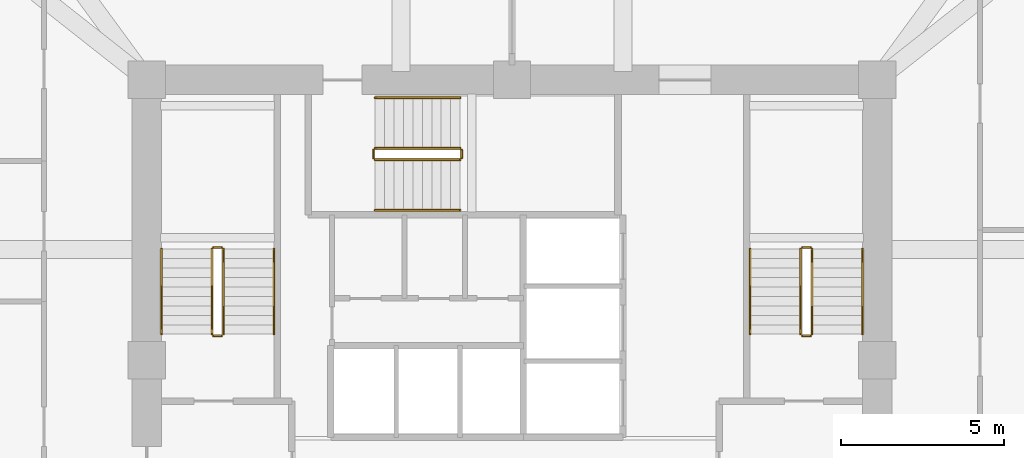
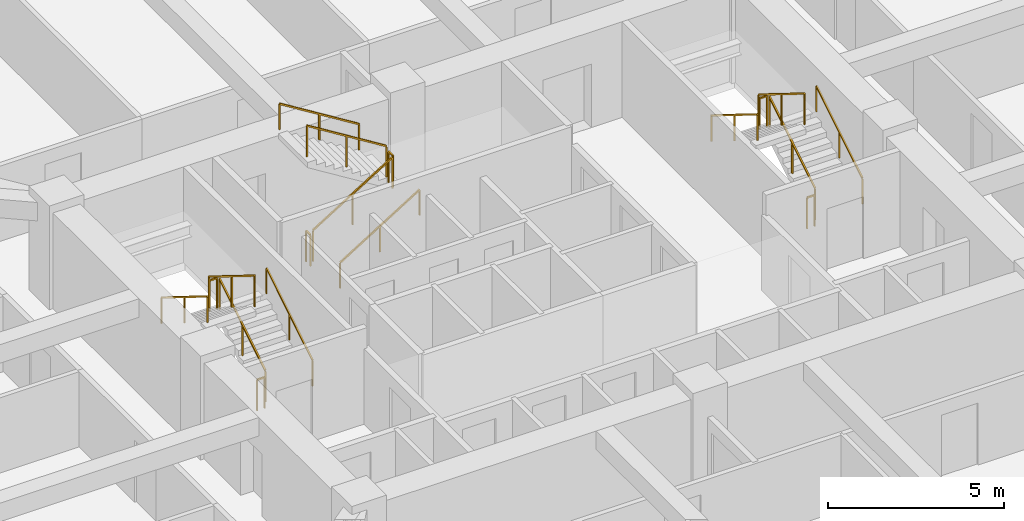
# One storey, part 13 of 13: 18 railings.
"""IFC4 building model written with IfcOpenShell, lengths in metres."""

from ifc_helpers import new_model, si_unit, derived_unit, direction, frame, origin, origin_2d, place, context, subcontext, project, spatial, rectangle, extrude, material, type_object, element, save


model = new_model("IFC4")

# Units and contexts
model_context = context("Model", 3, precision=1e-05, world=origin(), true_north=direction((0.0, 1.0)))
body_context = subcontext(model_context, "Body", "Model", "MODEL_VIEW")
ifc_project = project(units=[si_unit("LENGTHUNIT", "METRE"), si_unit("AREAUNIT", "SQUARE_METRE"), si_unit("VOLUMEUNIT", "CUBIC_METRE"), si_unit("PLANEANGLEUNIT", "RADIAN"), si_unit("MASSUNIT", "GRAM", prefix="KILO"), derived_unit("THERMALTRANSMITTANCEUNIT", [(si_unit("POWERUNIT", "WATT"), 1), (si_unit("LENGTHUNIT", "METRE"), -2), (si_unit("THERMODYNAMICTEMPERATUREUNIT", "KELVIN"), -1)])], contexts=[model_context])

# Site, building, storey
site_placement = place(None, origin())
site = spatial("IfcSite", under=ifc_project, at=site_placement, CompositionType="ELEMENT")
building_placement = place(site_placement, origin())
building = spatial("IfcBuilding", under=site, at=building_placement, Name="Koralith Skygarden Medical Center", CompositionType="ELEMENT")
storey_placement = place(building_placement, frame((0.0, 0.0, 49.139892578125)))
storey = spatial("IfcBuildingStorey", under=building, at=storey_placement, Name="L12", CompositionType="ELEMENT", Elevation=49.139892578125)

# Railings
ifc_material = material(Name="Steel ASTM A500 Grade C", Category="steel")
railing_type_1 = type_object("IfcRailingType", Name="Stair Flight Tubular Handrail 920", PredefinedType="HANDRAIL", material=ifc_material)
railing_1_placement = place(storey_placement, frame((29.699951171875, 26.699951171875, 0.18017578125)))
element("IfcRailing", 1, at=railing_1_placement, inside=storey, type_object=railing_type_1, Name="L12 ST1 stair handrail 1", PredefinedType="HANDRAIL", context=body_context, shape_type="SweptSolid", body=[
    extrude(rectangle(XDim=0.050048828125, YDim=0.050048828125, at=origin_2d()), frame((0.0, 0.001708984375, 0.89599609375), z_axis=(0.0, 0.849668407637, 0.527317358963), x_axis=(-1.0, 0.0, 0.0)), (0.0, 0.0, 1.0), 3.06787109375),
    extrude(rectangle(XDim=0.0419921875, YDim=0.0419921875, at=origin_2d()), origin(), (0.0, 0.0, 1.0), 0.867919921875),
    extrude(rectangle(XDim=0.0419921875, YDim=0.0419921875, at=origin_2d()), frame((0.0, 1.30517578125, 0.81005859375)), (0.0, 0.0, 1.0), 0.867919921875),
    extrude(rectangle(XDim=0.0419921875, YDim=0.0419921875, at=origin_2d()), frame((0.0, 2.610107421875, 1.619873046875)), (0.0, 0.0, 1.0), 0.867919921875),
])
railing_2_placement = place(storey_placement, frame((26.25, 29.31005859375, 1.980224609375)))
element("IfcRailing", 2, at=railing_2_placement, inside=storey, type_object=railing_type_1, Name="L12 ST1 stair handrail 2", PredefinedType="HANDRAIL", context=body_context, shape_type="SweptSolid", body=[
    extrude(rectangle(XDim=0.050048828125, YDim=0.050048828125, at=origin_2d()), frame((0.0, -0.001708984375, 0.89599609375), z_axis=(0.0, -0.849668407637, 0.527317358963), x_axis=(1.0, 0.0, 0.0)), (0.0, 0.0, 1.0), 3.06787109375),
    extrude(rectangle(XDim=0.0419921875, YDim=0.0419921875, at=origin_2d()), origin(), (0.0, 0.0, 1.0), 0.867919921875),
    extrude(rectangle(XDim=0.0419921875, YDim=0.0419921875, at=origin_2d()), frame((0.0, -1.30517578125, 0.81005859375)), (0.0, 0.0, 1.0), 0.867919921875),
    extrude(rectangle(XDim=0.0419921875, YDim=0.0419921875, at=origin_2d()), frame((0.0, -2.610107421875, 1.619873046875)), (0.0, 0.0, 1.0), 0.867919921875),
])
railing_3_placement = place(storey_placement, frame((47.75, 26.699951171875, 0.18017578125)))
element("IfcRailing", 3, at=railing_3_placement, inside=storey, type_object=railing_type_1, Name="L12 ST2 stair handrail 1", PredefinedType="HANDRAIL", context=body_context, shape_type="SweptSolid", body=[
    extrude(rectangle(XDim=0.050048828125, YDim=0.050048828125, at=origin_2d()), frame((0.0, 0.001708984375, 0.89599609375), z_axis=(0.0, 0.849668407637, 0.527317358963), x_axis=(-1.0, 0.0, 0.0)), (0.0, 0.0, 1.0), 3.06787109375),
    extrude(rectangle(XDim=0.0419921875, YDim=0.0419921875, at=origin_2d()), origin(), (0.0, 0.0, 1.0), 0.867919921875),
    extrude(rectangle(XDim=0.0419921875, YDim=0.0419921875, at=origin_2d()), frame((0.0, 1.30517578125, 0.81005859375)), (0.0, 0.0, 1.0), 0.867919921875),
    extrude(rectangle(XDim=0.0419921875, YDim=0.0419921875, at=origin_2d()), frame((0.0, 2.610107421875, 1.619873046875)), (0.0, 0.0, 1.0), 0.867919921875),
])
railing_4_placement = place(storey_placement, frame((44.300048828125, 29.31005859375, 1.980224609375)))
element("IfcRailing", 4, at=railing_4_placement, inside=storey, type_object=railing_type_1, Name="L12 ST2 stair handrail 2", PredefinedType="HANDRAIL", context=body_context, shape_type="SweptSolid", body=[
    extrude(rectangle(XDim=0.050048828125, YDim=0.050048828125, at=origin_2d()), frame((0.0, -0.001708984375, 0.89599609375), z_axis=(0.0, -0.849668407637, 0.527317358963), x_axis=(1.0, 0.0, 0.0)), (0.0, 0.0, 1.0), 3.06787109375),
    extrude(rectangle(XDim=0.0419921875, YDim=0.0419921875, at=origin_2d()), origin(), (0.0, 0.0, 1.0), 0.867919921875),
    extrude(rectangle(XDim=0.0419921875, YDim=0.0419921875, at=origin_2d()), frame((0.0, -1.30517578125, 0.81005859375)), (0.0, 0.0, 1.0), 0.867919921875),
    extrude(rectangle(XDim=0.0419921875, YDim=0.0419921875, at=origin_2d()), frame((0.0, -2.610107421875, 1.619873046875)), (0.0, 0.0, 1.0), 0.867919921875),
])
railing_5_placement = place(storey_placement, frame((32.800048828125, 30.5, 0.18017578125)))
element("IfcRailing", 5, at=railing_5_placement, inside=storey, type_object=railing_type_1, Name="L12 ST3 stair handrail 1", PredefinedType="HANDRAIL", context=body_context, shape_type="SweptSolid", body=[
    extrude(rectangle(XDim=0.050048828125, YDim=0.050048828125, at=origin_2d()), frame((0.001708984375, 0.0, 0.89599609375), z_axis=(0.849646306263, 0.0, 0.527352969322), x_axis=(0.0, 1.0, 0.0)), (0.0, 0.0, 1.0), 3.067626953125),
    extrude(rectangle(XDim=0.0419921875, YDim=0.0419921875, at=origin_2d()), origin(), (0.0, 0.0, 1.0), 0.867919921875),
    extrude(rectangle(XDim=0.0419921875, YDim=0.0419921875, at=origin_2d()), frame((1.304931640625, 0.0, 0.81005859375)), (0.0, 0.0, 1.0), 0.867919921875),
    extrude(rectangle(XDim=0.0419921875, YDim=0.0419921875, at=origin_2d()), frame((2.60986328125, 0.0, 1.619873046875)), (0.0, 0.0, 1.0), 0.867919921875),
])
railing_6_placement = place(storey_placement, frame((35.409912109375, 33.949951171875, 1.980224609375)))
element("IfcRailing", 6, at=railing_6_placement, inside=storey, type_object=railing_type_1, Name="L12 ST3 stair handrail 2", PredefinedType="HANDRAIL", context=body_context, shape_type="SweptSolid", body=[
    extrude(rectangle(XDim=0.050048828125, YDim=0.050048828125, at=origin_2d()), frame((-0.001708984375, 0.0, 0.89599609375), z_axis=(-0.849646306263, 0.0, 0.527352969322), x_axis=(0.0, -1.0, 0.0)), (0.0, 0.0, 1.0), 3.067626953125),
    extrude(rectangle(XDim=0.0419921875, YDim=0.0419921875, at=origin_2d()), origin(), (0.0, 0.0, 1.0), 0.867919921875),
    extrude(rectangle(XDim=0.0419921875, YDim=0.0419921875, at=origin_2d()), frame((-1.304931640625, 0.0, 0.81005859375)), (0.0, 0.0, 1.0), 0.867919921875),
    extrude(rectangle(XDim=0.0419921875, YDim=0.0419921875, at=origin_2d()), frame((-2.60986328125, 0.0, 1.619873046875)), (0.0, 0.0, 1.0), 0.867919921875),
])
railing_type_2 = type_object("IfcRailingType", Name="Stair Well Safety Guardrail 1100", PredefinedType="GUARDRAIL", material=ifc_material)
railing_7_placement = place(storey_placement, frame((28.14990234375, 26.699951171875, 0.18017578125)))
element("IfcRailing", 7, at=railing_7_placement, inside=storey, type_object=railing_type_2, Name="L12 ST1 stair guard 1", PredefinedType="GUARDRAIL", context=body_context, shape_type="SweptSolid", body=[
    extrude(rectangle(XDim=0.050048828125, YDim=0.050048828125, at=origin_2d()), frame((0.0, 0.001708984375, 1.076171875), z_axis=(0.0, 0.849668407637, 0.527317358963), x_axis=(-1.0, 0.0, 0.0)), (0.0, 0.0, 1.0), 3.06787109375),
    extrude(rectangle(XDim=0.0419921875, YDim=0.0419921875, at=origin_2d()), origin(), (0.0, 0.0, 1.0), 1.048095703125),
    extrude(rectangle(XDim=0.0419921875, YDim=0.0419921875, at=origin_2d()), frame((0.0, 1.30517578125, 0.81005859375)), (0.0, 0.0, 1.0), 1.048095703125),
    extrude(rectangle(XDim=0.0419921875, YDim=0.0419921875, at=origin_2d()), frame((0.0, 2.610107421875, 1.619873046875)), (0.0, 0.0, 1.0), 1.048095703125),
])
railing_8_placement = place(storey_placement, frame((28.10009765625, 29.360107421875, 1.800048828125)))
element("IfcRailing", 8, at=railing_8_placement, inside=storey, type_object=railing_type_2, Name="L12 ST1 stair guard 2", PredefinedType="GUARDRAIL", context=body_context, shape_type="SweptSolid", body=[
    extrude(rectangle(XDim=0.050048828125, YDim=0.050048828125, at=origin_2d()), frame((-0.001953125, 0.0, 1.0751953125), z_axis=(-1.0, 0.0, 0.0), x_axis=(0.0, -1.0, 0.0)), (0.0, 0.0, 1.0), 0.24609375),
    extrude(rectangle(XDim=0.0419921875, YDim=0.0419921875, at=origin_2d()), origin(), (0.0, 0.0, 1.0), 1.048095703125),
    extrude(rectangle(XDim=0.0419921875, YDim=0.0419921875, at=origin_2d()), frame((-0.25, 0.0, 0.0)), (0.0, 0.0, 1.0), 1.048095703125),
])
railing_9_placement = place(storey_placement, frame((27.800048828125, 29.31005859375, 1.980224609375)))
element("IfcRailing", 9, at=railing_9_placement, inside=storey, type_object=railing_type_2, Name="L12 ST1 stair guard 3", PredefinedType="GUARDRAIL", context=body_context, shape_type="SweptSolid", body=[
    extrude(rectangle(XDim=0.050048828125, YDim=0.050048828125, at=origin_2d()), frame((0.0, -0.001708984375, 1.076171875), z_axis=(0.0, -0.849668407637, 0.527317358963), x_axis=(1.0, 0.0, 0.0)), (0.0, 0.0, 1.0), 3.06787109375),
    extrude(rectangle(XDim=0.0419921875, YDim=0.0419921875, at=origin_2d()), origin(), (0.0, 0.0, 1.0), 1.048095703125),
    extrude(rectangle(XDim=0.0419921875, YDim=0.0419921875, at=origin_2d()), frame((0.0, -1.30517578125, 0.81005859375)), (0.0, 0.0, 1.0), 1.048095703125),
    extrude(rectangle(XDim=0.0419921875, YDim=0.0419921875, at=origin_2d()), frame((0.0, -2.610107421875, 1.619873046875)), (0.0, 0.0, 1.0), 1.048095703125),
])
railing_10_placement = place(storey_placement, frame((28.10009765625, 26.64990234375, 0.0)))
element("IfcRailing", 10, at=railing_10_placement, inside=storey, type_object=railing_type_2, Name="L12 ST1 stair guard 4", PredefinedType="GUARDRAIL", context=body_context, shape_type="SweptSolid", body=[
    extrude(rectangle(XDim=0.050048828125, YDim=0.050048828125, at=origin_2d()), frame((-0.001953125, 0.0, 1.0751953125), z_axis=(-1.0, 0.0, 0.0), x_axis=(0.0, -1.0, 0.0)), (0.0, 0.0, 1.0), 0.24609375),
    extrude(rectangle(XDim=0.0419921875, YDim=0.0419921875, at=origin_2d()), origin(), (0.0, 0.0, 1.0), 1.048095703125),
    extrude(rectangle(XDim=0.0419921875, YDim=0.0419921875, at=origin_2d()), frame((-0.25, 0.0, 0.0)), (0.0, 0.0, 1.0), 1.048095703125),
])
railing_11_placement = place(storey_placement, frame((46.199951171875, 26.699951171875, 0.18017578125)))
element("IfcRailing", 11, at=railing_11_placement, inside=storey, type_object=railing_type_2, Name="L12 ST2 stair guard 1", PredefinedType="GUARDRAIL", context=body_context, shape_type="SweptSolid", body=[
    extrude(rectangle(XDim=0.050048828125, YDim=0.050048828125, at=origin_2d()), frame((0.0, 0.001708984375, 1.076171875), z_axis=(0.0, 0.849668407637, 0.527317358963), x_axis=(-1.0, 0.0, 0.0)), (0.0, 0.0, 1.0), 3.06787109375),
    extrude(rectangle(XDim=0.0419921875, YDim=0.0419921875, at=origin_2d()), origin(), (0.0, 0.0, 1.0), 1.048095703125),
    extrude(rectangle(XDim=0.0419921875, YDim=0.0419921875, at=origin_2d()), frame((0.0, 1.30517578125, 0.81005859375)), (0.0, 0.0, 1.0), 1.048095703125),
    extrude(rectangle(XDim=0.0419921875, YDim=0.0419921875, at=origin_2d()), frame((0.0, 2.610107421875, 1.619873046875)), (0.0, 0.0, 1.0), 1.048095703125),
])
railing_12_placement = place(storey_placement, frame((46.14990234375, 29.360107421875, 1.800048828125)))
element("IfcRailing", 12, at=railing_12_placement, inside=storey, type_object=railing_type_2, Name="L12 ST2 stair guard 2", PredefinedType="GUARDRAIL", context=body_context, shape_type="SweptSolid", body=[
    extrude(rectangle(XDim=0.050048828125, YDim=0.050048828125, at=origin_2d()), frame((-0.001953125, 0.0, 1.0751953125), z_axis=(-1.0, 0.0, 0.0), x_axis=(0.0, -1.0, 0.0)), (0.0, 0.0, 1.0), 0.24609375),
    extrude(rectangle(XDim=0.0419921875, YDim=0.0419921875, at=origin_2d()), origin(), (0.0, 0.0, 1.0), 1.048095703125),
    extrude(rectangle(XDim=0.0419921875, YDim=0.0419921875, at=origin_2d()), frame((-0.25, 0.0, 0.0)), (0.0, 0.0, 1.0), 1.048095703125),
])
railing_13_placement = place(storey_placement, frame((45.85009765625, 29.31005859375, 1.980224609375)))
element("IfcRailing", 13, at=railing_13_placement, inside=storey, type_object=railing_type_2, Name="L12 ST2 stair guard 3", PredefinedType="GUARDRAIL", context=body_context, shape_type="SweptSolid", body=[
    extrude(rectangle(XDim=0.050048828125, YDim=0.050048828125, at=origin_2d()), frame((0.0, -0.001708984375, 1.076171875), z_axis=(0.0, -0.849668407637, 0.527317358963), x_axis=(1.0, 0.0, 0.0)), (0.0, 0.0, 1.0), 3.06787109375),
    extrude(rectangle(XDim=0.0419921875, YDim=0.0419921875, at=origin_2d()), origin(), (0.0, 0.0, 1.0), 1.048095703125),
    extrude(rectangle(XDim=0.0419921875, YDim=0.0419921875, at=origin_2d()), frame((0.0, -1.30517578125, 0.81005859375)), (0.0, 0.0, 1.0), 1.048095703125),
    extrude(rectangle(XDim=0.0419921875, YDim=0.0419921875, at=origin_2d()), frame((0.0, -2.610107421875, 1.619873046875)), (0.0, 0.0, 1.0), 1.048095703125),
])
railing_14_placement = place(storey_placement, frame((46.14990234375, 26.64990234375, 0.0)))
element("IfcRailing", 14, at=railing_14_placement, inside=storey, type_object=railing_type_2, Name="L12 ST2 stair guard 4", PredefinedType="GUARDRAIL", context=body_context, shape_type="SweptSolid", body=[
    extrude(rectangle(XDim=0.050048828125, YDim=0.050048828125, at=origin_2d()), frame((-0.001953125, 0.0, 1.0751953125), z_axis=(-1.0, 0.0, 0.0), x_axis=(0.0, -1.0, 0.0)), (0.0, 0.0, 1.0), 0.24609375),
    extrude(rectangle(XDim=0.0419921875, YDim=0.0419921875, at=origin_2d()), origin(), (0.0, 0.0, 1.0), 1.048095703125),
    extrude(rectangle(XDim=0.0419921875, YDim=0.0419921875, at=origin_2d()), frame((-0.25, 0.0, 0.0)), (0.0, 0.0, 1.0), 1.048095703125),
])
railing_15_placement = place(storey_placement, frame((32.800048828125, 32.050048828125, 0.18017578125)))
element("IfcRailing", 15, at=railing_15_placement, inside=storey, type_object=railing_type_2, Name="L12 ST3 stair guard 1", PredefinedType="GUARDRAIL", context=body_context, shape_type="SweptSolid", body=[
    extrude(rectangle(XDim=0.050048828125, YDim=0.050048828125, at=origin_2d()), frame((0.001708984375, 0.0, 1.076171875), z_axis=(0.849646306263, 0.0, 0.527352969322), x_axis=(0.0, 1.0, 0.0)), (0.0, 0.0, 1.0), 3.067626953125),
    extrude(rectangle(XDim=0.0419921875, YDim=0.0419921875, at=origin_2d()), origin(), (0.0, 0.0, 1.0), 1.048095703125),
    extrude(rectangle(XDim=0.0419921875, YDim=0.0419921875, at=origin_2d()), frame((1.304931640625, 0.0, 0.81005859375)), (0.0, 0.0, 1.0), 1.048095703125),
    extrude(rectangle(XDim=0.0419921875, YDim=0.0419921875, at=origin_2d()), frame((2.60986328125, 0.0, 1.619873046875)), (0.0, 0.0, 1.0), 1.048095703125),
])
railing_16_placement = place(storey_placement, frame((35.4599609375, 32.10009765625, 1.800048828125)))
element("IfcRailing", 16, at=railing_16_placement, inside=storey, type_object=railing_type_2, Name="L12 ST3 stair guard 2", PredefinedType="GUARDRAIL", context=body_context, shape_type="SweptSolid", body=[
    extrude(rectangle(XDim=0.050048828125, YDim=0.050048828125, at=origin_2d()), frame((0.0, 0.001953125, 1.0751953125), z_axis=(0.0, 1.0, 0.0), x_axis=(-1.0, 0.0, 0.0)), (0.0, 0.0, 1.0), 0.24609375),
    extrude(rectangle(XDim=0.0419921875, YDim=0.0419921875, at=origin_2d()), origin(), (0.0, 0.0, 1.0), 1.048095703125),
    extrude(rectangle(XDim=0.0419921875, YDim=0.0419921875, at=origin_2d()), frame((0.0, 0.25, 0.0)), (0.0, 0.0, 1.0), 1.048095703125),
])
railing_17_placement = place(storey_placement, frame((35.409912109375, 32.39990234375, 1.980224609375)))
element("IfcRailing", 17, at=railing_17_placement, inside=storey, type_object=railing_type_2, Name="L12 ST3 stair guard 3", PredefinedType="GUARDRAIL", context=body_context, shape_type="SweptSolid", body=[
    extrude(rectangle(XDim=0.050048828125, YDim=0.050048828125, at=origin_2d()), frame((-0.001708984375, 0.0, 1.076171875), z_axis=(-0.849646306263, 0.0, 0.527352969322), x_axis=(0.0, -1.0, 0.0)), (0.0, 0.0, 1.0), 3.067626953125),
    extrude(rectangle(XDim=0.0419921875, YDim=0.0419921875, at=origin_2d()), origin(), (0.0, 0.0, 1.0), 1.048095703125),
    extrude(rectangle(XDim=0.0419921875, YDim=0.0419921875, at=origin_2d()), frame((-1.304931640625, 0.0, 0.81005859375)), (0.0, 0.0, 1.0), 1.048095703125),
    extrude(rectangle(XDim=0.0419921875, YDim=0.0419921875, at=origin_2d()), frame((-2.60986328125, 0.0, 1.619873046875)), (0.0, 0.0, 1.0), 1.048095703125),
])
railing_18_placement = place(storey_placement, frame((32.75, 32.10009765625, 0.0)))
element("IfcRailing", 18, at=railing_18_placement, inside=storey, type_object=railing_type_2, Name="L12 ST3 stair guard 4", PredefinedType="GUARDRAIL", context=body_context, shape_type="SweptSolid", body=[
    extrude(rectangle(XDim=0.050048828125, YDim=0.050048828125, at=origin_2d()), frame((0.0, 0.001953125, 1.0751953125), z_axis=(0.0, 1.0, 0.0), x_axis=(-1.0, 0.0, 0.0)), (0.0, 0.0, 1.0), 0.24609375),
    extrude(rectangle(XDim=0.0419921875, YDim=0.0419921875, at=origin_2d()), origin(), (0.0, 0.0, 1.0), 1.048095703125),
    extrude(rectangle(XDim=0.0419921875, YDim=0.0419921875, at=origin_2d()), frame((0.0, 0.25, 0.0)), (0.0, 0.0, 1.0), 1.048095703125),
])

save(model, "model.ifc")
